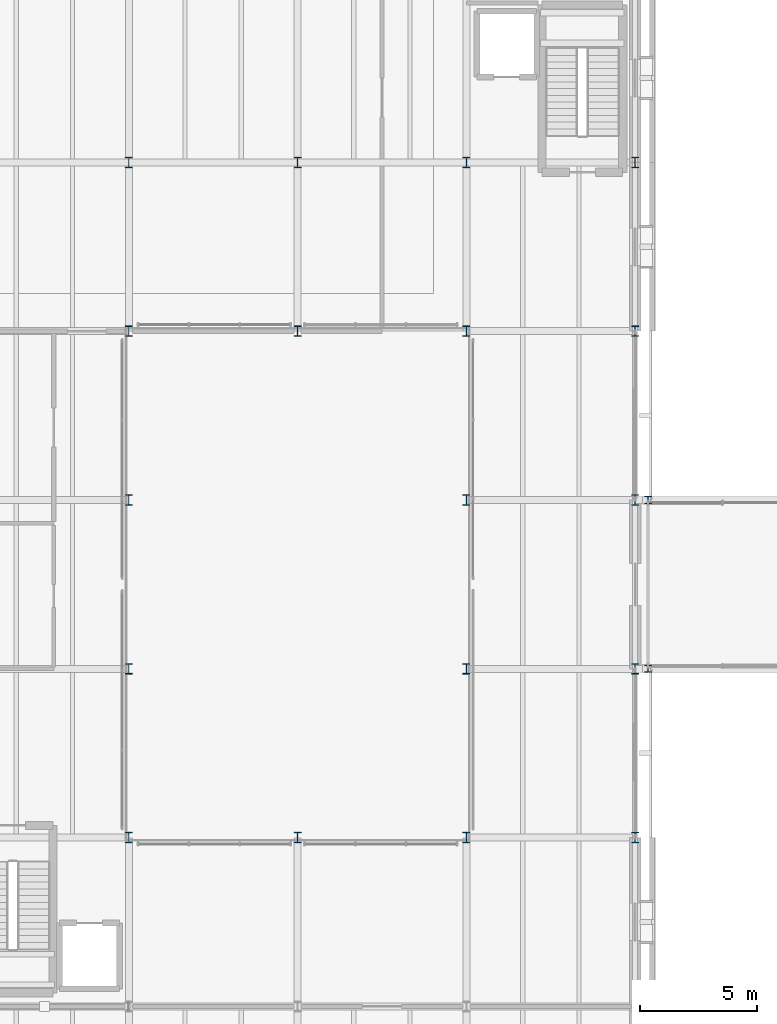
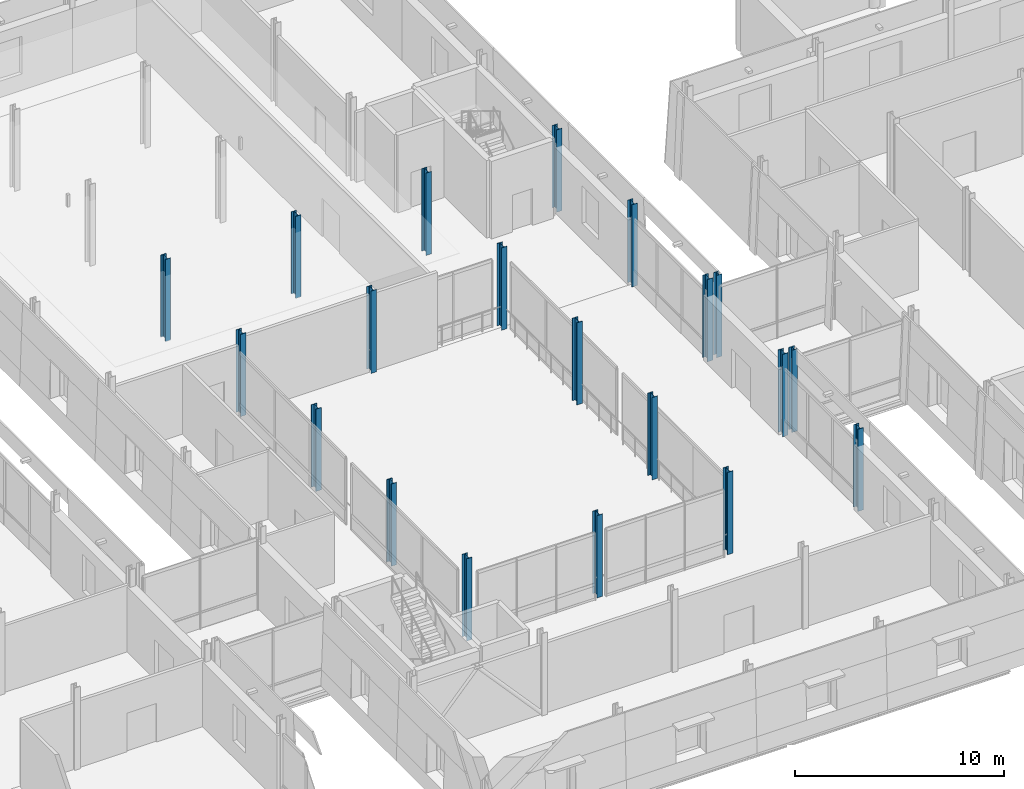
# One storey, part 9 of 121: 20 columns.
"""IFC4 building model written with IfcOpenShell, lengths in metres."""

from ifc_helpers import new_model, si_unit, direction, frame, origin, origin_2d, place, context, subcontext, project, spatial, i_section, extrude, material, material_profile, profile_set, type_object, element, save


model = new_model("IFC4")

# Units and contexts
model_context = context("Model", 3, precision=1e-05, world=origin(), true_north=direction((0.0, 1.0)))
body_context = subcontext(model_context, "Body", "Model", "MODEL_VIEW")
ifc_project = project(units=[si_unit("LENGTHUNIT", "METRE"), si_unit("AREAUNIT", "SQUARE_METRE"), si_unit("VOLUMEUNIT", "CUBIC_METRE"), si_unit("PLANEANGLEUNIT", "RADIAN"), si_unit("MASSUNIT", "GRAM", prefix="KILO")], contexts=[model_context])

# Site, building, storey
site_placement = place(None, origin())
site = spatial("IfcSite", under=ifc_project, at=site_placement, CompositionType="ELEMENT")
building_placement = place(site_placement, origin())
building = spatial("IfcBuilding", under=site, at=building_placement, Name="Narikvali Park Central Library", CompositionType="ELEMENT")
storey_placement = place(building_placement, frame((0.0, 0.0, 5.39990234375)))
storey = spatial("IfcBuildingStorey", under=building, at=storey_placement, Name="L01", CompositionType="ELEMENT", Elevation=5.39990234375)

# Columns
ifc_material = material(Name="Steel S355", Category="steel")
ifc_material_profile_1 = material_profile(ifc_material, i_section(OverallWidth=0.300048828125, OverallDepth=0.300048828125, WebThickness=0.010986328125, FlangeThickness=0.01904296875, FilletRadius=0.027099609375, at=origin_2d()), Name="HEB 300")
ifc_profile_set_1 = profile_set([ifc_material_profile_1], Name="Steel S355")
column_type_1 = type_object("IfcColumnType", Name="Steel Column HEB300", PredefinedType="COLUMN", material=ifc_profile_set_1)
for number, where, z_axis, x_axis, name in (
    (1, (58.14990234375, 72.0, 0.0), (0.0, 0.0, 1.0), (1.0, 0.0, 0.0), "BRG-2 Bridge Pier L01"),
    (2, (58.14990234375, 79.199951171875, 0.0), (0.0, 0.0, 1.0), (1.0, 0.0, 0.0), "BRG-2 Bridge Pier L01"),
):
    element("IfcColumn", number, at=place(storey_placement, frame(where, z_axis=z_axis, x_axis=x_axis)), inside=storey, type_object=column_type_1, Name=name, PredefinedType="COLUMN", context=body_context, shape_type="SweptSolid", body=[
        extrude(i_section(OverallWidth=0.300048828125, OverallDepth=0.300048828125, WebThickness=0.010986328125, FlangeThickness=0.01904296875, FilletRadius=0.027099609375, at=origin_2d()), origin(), (0.0, 0.0, 1.0), 4.800048828125),
    ])
ifc_material_profile_2 = material_profile(ifc_material, i_section(OverallWidth=0.300048828125, OverallDepth=0.449951171875, WebThickness=0.013916015625, FlangeThickness=0.02587890625, FilletRadius=0.027099609375, at=origin_2d()), Name="HEB 450")
ifc_profile_set_2 = profile_set([ifc_material_profile_2], Name="Steel S355")
column_type_2 = type_object("IfcColumnType", Name="Steel Column HEB450", PredefinedType="COLUMN", material=ifc_profile_set_2)
for number, where, z_axis, x_axis, name in (
    (3, (36.0, 64.800048828125, 0.0), (0.0, 0.0, 1.0), (1.0, 0.0, 0.0), "V4 L01 Column (36.0,64.8)"),
    (4, (36.0, 72.0, 0.0), (0.0, 0.0, 1.0), (1.0, 0.0, 0.0), "V4 L01 Column (36.0,72.0)"),
    (5, (36.0, 79.199951171875, 0.0), (0.0, 0.0, 1.0), (1.0, 0.0, 0.0), "V4 L01 Column (36.0,79.2)"),
    (6, (36.0, 86.39990234375, 0.0), (0.0, 0.0, 1.0), (1.0, 0.0, 0.0), "V4 L01 Column (36.0,86.4)"),
    (7, (36.0, 93.60009765625, 0.0), (0.0, 0.0, 1.0), (1.0, 0.0, 0.0), "V4 L01 Column (36.0,93.6)"),
    (8, (43.199951171875, 64.800048828125, 0.0), (0.0, 0.0, 1.0), (1.0, 0.0, 0.0), "V4 L01 Column (43.2,64.8)"),
    (9, (43.199951171875, 86.39990234375, 0.0), (0.0, 0.0, 1.0), (1.0, 0.0, 0.0), "V4 L01 Column (43.2,86.4)"),
    (10, (43.199951171875, 93.60009765625, 0.0), (0.0, 0.0, 1.0), (1.0, 0.0, 0.0), "V4 L01 Column (43.2,93.6)"),
    (11, (50.39990234375, 64.800048828125, 0.0), (0.0, 0.0, 1.0), (1.0, 0.0, 0.0), "V4 L01 Column (50.4,64.8)"),
    (12, (50.39990234375, 72.0, 0.0), (0.0, 0.0, 1.0), (1.0, 0.0, 0.0), "V4 L01 Column (50.4,72.0)"),
    (13, (50.39990234375, 79.199951171875, 0.0), (0.0, 0.0, 1.0), (1.0, 0.0, 0.0), "V4 L01 Column (50.4,79.2)"),
    (14, (50.39990234375, 86.39990234375, 0.0), (0.0, 0.0, 1.0), (1.0, 0.0, 0.0), "V4 L01 Column (50.4,86.4)"),
    (15, (50.39990234375, 93.60009765625, 0.0), (0.0, 0.0, 1.0), (1.0, 0.0, 0.0), "V4 L01 Column (50.4,93.6)"),
    (16, (57.60009765625, 64.800048828125, 0.0), (0.0, 0.0, 1.0), (1.0, 0.0, 0.0), "V4 L01 Column (57.6,64.8)"),
    (17, (57.60009765625, 72.0, 0.0), (0.0, 0.0, 1.0), (1.0, 0.0, 0.0), "V4 L01 Column (57.6,72.0)"),
    (18, (57.60009765625, 79.199951171875, 0.0), (0.0, 0.0, 1.0), (1.0, 0.0, 0.0), "V4 L01 Column (57.6,79.2)"),
    (19, (57.60009765625, 86.39990234375, 0.0), (0.0, 0.0, 1.0), (1.0, 0.0, 0.0), "V4 L01 Column (57.6,86.4)"),
    (20, (57.60009765625, 93.60009765625, 0.0), (0.0, 0.0, 1.0), (1.0, 0.0, 0.0), "V4 L01 Column (57.6,93.6)"),
):
    element("IfcColumn", number, at=place(storey_placement, frame(where, z_axis=z_axis, x_axis=x_axis)), inside=storey, type_object=column_type_2, Name=name, PredefinedType="COLUMN", context=body_context, shape_type="SweptSolid", body=[
        extrude(i_section(OverallWidth=0.300048828125, OverallDepth=0.449951171875, WebThickness=0.013916015625, FlangeThickness=0.02587890625, FilletRadius=0.027099609375, at=origin_2d()), origin(), (0.0, 0.0, 1.0), 4.800048828125),
    ])

save(model, "model.ifc")
